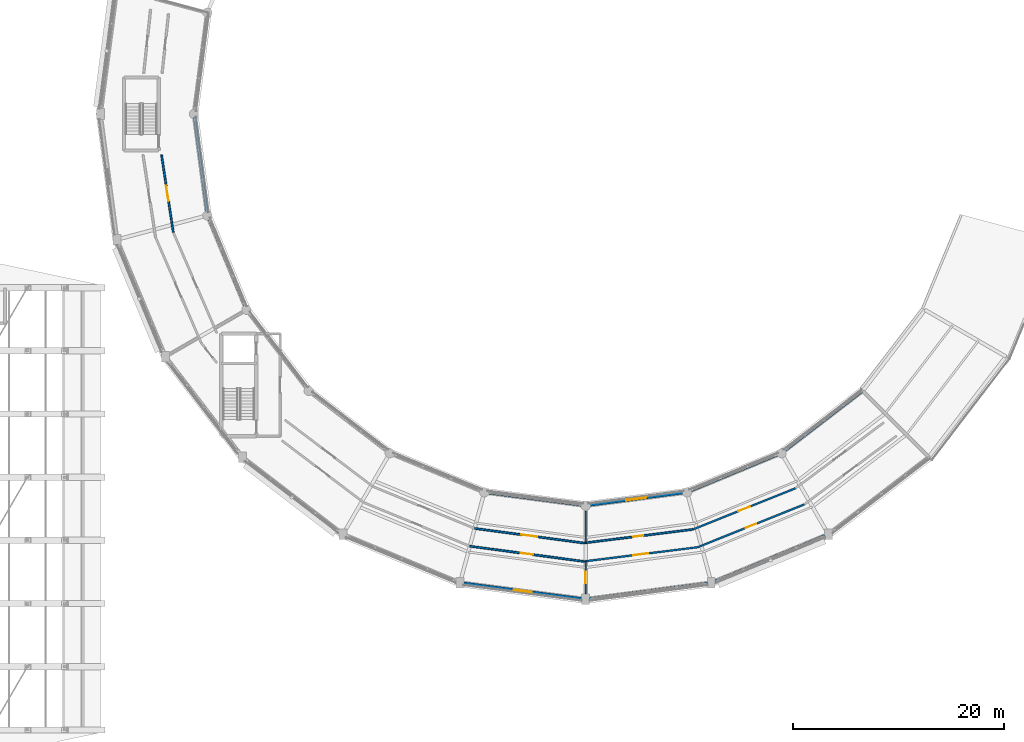
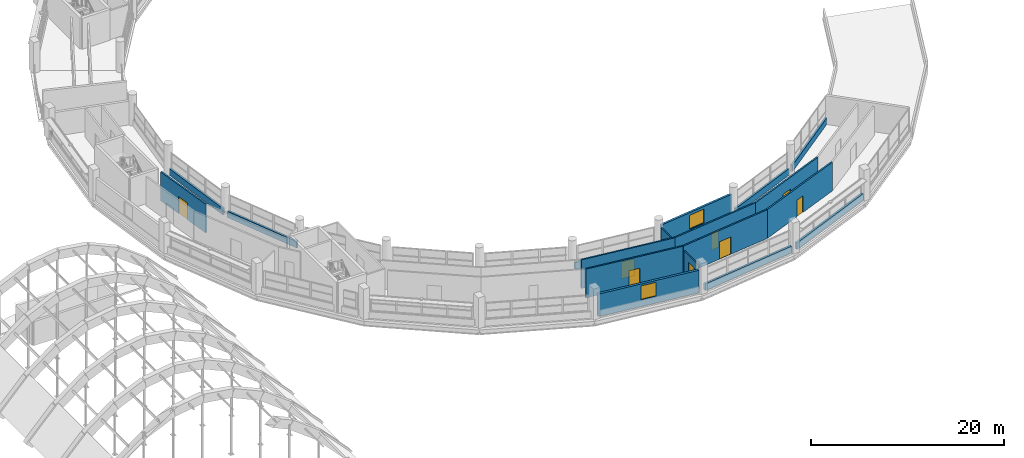
# One storey, part 75 of 88: 18 walls, 8 doors, 2 windows, 10 openings.
"""IFC4 building model written with IfcOpenShell, lengths in metres."""

from ifc_helpers import new_model, si_unit, direction, frame, frame_2d, origin, place, context, subcontext, project, spatial, rectangle, extrude, material, layer, layer_set, type_object, element, fill, save


model = new_model("IFC4")

# Units and contexts
model_context = context("Model", 3, precision=1e-05, world=origin(), true_north=direction((0.0, 1.0)))
body_context = subcontext(model_context, "Body", "Model", "MODEL_VIEW")
ifc_project = project(units=[si_unit("LENGTHUNIT", "METRE"), si_unit("AREAUNIT", "SQUARE_METRE"), si_unit("VOLUMEUNIT", "CUBIC_METRE"), si_unit("PLANEANGLEUNIT", "RADIAN"), si_unit("MASSUNIT", "GRAM", prefix="KILO")], contexts=[model_context])

# Site, building, storey
site_placement = place(None, origin())
site = spatial("IfcSite", under=ifc_project, at=site_placement, CompositionType="ELEMENT")
building_placement = place(site_placement, origin())
building = spatial("IfcBuilding", under=site, at=building_placement, Name="Vespera Passage Community Centre", CompositionType="ELEMENT")
storey_placement = place(building_placement, frame((0.0, 0.0, 16.5)))
storey = spatial("IfcBuildingStorey", under=building, at=storey_placement, Name="L04", CompositionType="ELEMENT", Elevation=16.5)

# Wall, opening, door
ifc_material_1 = material(Name="Gypsum board acoustic stud partition")
ifc_layer_1 = layer(ifc_material_1, 0.179931640625)
ifc_layer_set_1 = layer_set([ifc_layer_1], Name="Gypsum board acoustic stud partition")
wall_type_1 = type_object("IfcWallType", Name="WT-CORR-180I", PredefinedType="PARTITIONING", material=ifc_layer_set_1)
wall_1_placement = place(storey_placement, frame((37.712646484375, 61.625, 0.0), z_axis=(0.0, 0.0, 1.0), x_axis=(0.149968655248, -0.988690751673, 0.0)))
wall_1 = element("IfcWall", 1, at=wall_1_placement, inside=storey, type_object=wall_type_1, Name="L04 Interior Partition V4-L04-CI09.1", PredefinedType="PARTITIONING", context=body_context, shape_type="SweptSolid", body=[
    extrude(rectangle(XDim=7.44140625, YDim=0.179931640625, at=frame_2d((3.720703125, 0.0))), origin(), (0.0, 0.0, 1.0), 3.635009765625),
])
opening_1_placement = place(wall_1_placement, frame((2.970703125, 0.0, 0.0)))
opening_1 = element("IfcOpeningElement", 2, at=opening_1_placement, cuts=wall_1, Name="Opening DT-CORR-150", PredefinedType="OPENING", context=body_context, shape_type="SweptSolid", body=[
    extrude(rectangle(XDim=1.5, YDim=2.14990234375, at=frame_2d((0.75, 1.074951171875))), frame((0.0, 0.099853515625, 0.0), z_axis=(0.0, -1.0, 0.0), x_axis=(1.0, 0.0, 0.0)), (0.0, 0.0, 1.0), 0.199951171875),
])
ifc_material_2 = material(Name="Painted hollow-metal acoustic door", Category="steel")
door_type_1 = type_object("IfcDoorType", Name="DT-CORR-150", OperationType="NOTDEFINED", PredefinedType="DOOR", material=ifc_material_2)
door_1_placement = place(opening_1_placement, origin())
door_1 = element("IfcDoor", 3, at=door_1_placement, inside=storey, type_object=door_type_1, Name="L04 Interior Door D-280", OperationType="SINGLE_SWING_RIGHT", OverallHeight=2.14990234375, OverallWidth=1.5, PredefinedType="DOOR", context=body_context, shape_type="SweptSolid", body=[
    extrude(rectangle(XDim=1.5, YDim=2.14990234375, at=frame_2d((0.75, 1.074951171875))), frame((0.0, 0.02490234375, 0.0), z_axis=(0.0, -1.0, 0.0), x_axis=(1.0, 0.0, 0.0)), (0.0, 0.0, 1.0), 0.050048828125),
])
fill(opening_1, door_1)

wall_2_placement = place(storey_placement, frame((67.000244140625, 24.4482421875, 0.0), z_axis=(0.0, 0.0, 1.0), x_axis=(0.991157800834, -0.132688408862, 0.0)))
wall_2 = element("IfcWall", 4, at=wall_2_placement, inside=storey, type_object=wall_type_1, Name="L04 Interior Partition V4-L04-CO14.1", PredefinedType="PARTITIONING", context=body_context, shape_type="SweptSolid", body=[
    extrude(rectangle(XDim=10.910888671875, YDim=0.179931640625, at=frame_2d((5.45556640625, 0.0))), origin(), (0.0, 0.0, 1.0), 3.635009765625),
])
opening_2_placement = place(wall_2_placement, frame((4.85546875, 0.0, 0.0)))
opening_2 = element("IfcOpeningElement", 5, at=opening_2_placement, cuts=wall_2, Name="Opening DT-CORR-120", PredefinedType="OPENING", context=body_context, shape_type="SweptSolid", body=[
    extrude(rectangle(XDim=1.199951171875, YDim=2.14990234375, at=frame_2d((0.60009765625, 1.074951171875))), frame((0.0, 0.099853515625, 0.0), z_axis=(0.0, -1.0, 0.0), x_axis=(1.0, 0.0, 0.0)), (0.0, 0.0, 1.0), 0.199951171875),
])
ifc_material_3 = material(Name="Painted hollow-metal acoustic door", Category="steel")
door_type_2 = type_object("IfcDoorType", Name="DT-CORR-120", OperationType="NOTDEFINED", PredefinedType="DOOR", material=ifc_material_3)
door_2_placement = place(opening_2_placement, origin())
door_2 = element("IfcDoor", 6, at=door_2_placement, inside=storey, type_object=door_type_2, Name="L04 Interior Door D-288", OperationType="SINGLE_SWING_RIGHT", OverallHeight=2.14990234375, OverallWidth=1.199951171875, PredefinedType="DOOR", context=body_context, shape_type="SweptSolid", body=[
    extrude(rectangle(XDim=1.199951171875, YDim=2.14990234375, at=frame_2d((0.60009765625, 1.074951171875))), frame((0.0, 0.02490234375, 0.0), z_axis=(0.0, -1.0, 0.0), x_axis=(1.0, 0.0, 0.0)), (0.0, 0.0, 1.0), 0.050048828125),
])
fill(opening_2, door_2)

wall_3_placement = place(storey_placement, frame((67.453125, 26.138427734375, 0.0), z_axis=(0.0, 0.0, 1.0), x_axis=(0.99116030885, -0.132669673098, 0.0)))
wall_3 = element("IfcWall", 7, at=wall_3_placement, inside=storey, type_object=wall_type_1, Name="L04 Interior Partition V4-L04-CI14.1", PredefinedType="PARTITIONING", context=body_context, shape_type="SweptSolid", body=[
    extrude(rectangle(XDim=10.461669921875, YDim=0.179931640625, at=frame_2d((5.23095703125, 0.0))), origin(), (0.0, 0.0, 1.0), 3.635009765625),
])
opening_3_placement = place(wall_3_placement, frame((4.480712890625, 0.0, 0.0)))
opening_3 = element("IfcOpeningElement", 8, at=opening_3_placement, cuts=wall_3, Name="Opening DT-CORR-150", PredefinedType="OPENING", context=body_context, shape_type="SweptSolid", body=[
    extrude(rectangle(XDim=1.5, YDim=2.14990234375, at=frame_2d((0.75, 1.074951171875))), frame((0.0, 0.099853515625, 0.0), z_axis=(0.0, -1.0, 0.0), x_axis=(1.0, 0.0, 0.0)), (0.0, 0.0, 1.0), 0.199951171875),
])
door_3_placement = place(opening_3_placement, origin())
door_3 = element("IfcDoor", 9, at=door_3_placement, inside=storey, type_object=door_type_1, Name="L04 Interior Door D-289", OperationType="SINGLE_SWING_LEFT", OverallHeight=2.14990234375, OverallWidth=1.5, PredefinedType="DOOR", context=body_context, shape_type="SweptSolid", body=[
    extrude(rectangle(XDim=1.5, YDim=2.14990234375, at=frame_2d((0.75, 1.074951171875))), frame((0.0, 0.02490234375, 0.0), z_axis=(0.0, -1.0, 0.0), x_axis=(1.0, 0.0, 0.0)), (0.0, 0.0, 1.0), 0.050048828125),
])
fill(opening_3, door_3)

wall_4_placement = place(storey_placement, frame((77.814697265625, 23.00048828125, 0.0), z_axis=(0.0, 0.0, 1.0), x_axis=(0.992278220961, 0.124031980579, 0.0)))
wall_4 = element("IfcWall", 10, at=wall_4_placement, inside=storey, type_object=wall_type_1, Name="L04 Interior Partition V4-L04-CO15.1", PredefinedType="PARTITIONING", context=body_context, shape_type="SweptSolid", body=[
    extrude(rectangle(XDim=10.91064453125, YDim=0.179931640625, at=frame_2d((5.455322265625, 0.0))), origin(), (0.0, 0.0, 1.0), 3.635009765625),
])
opening_4_placement = place(wall_4_placement, frame((4.73046875, 0.0, 0.0)))
opening_4 = element("IfcOpeningElement", 11, at=opening_4_placement, cuts=wall_4, Name="Opening DT-PLANT-145", PredefinedType="OPENING", context=body_context, shape_type="SweptSolid", body=[
    extrude(rectangle(XDim=1.449951171875, YDim=2.199951171875, at=frame_2d((0.72509765625, 1.10009765625))), frame((0.0, 0.099853515625, 0.0), z_axis=(0.0, -1.0, 0.0), x_axis=(1.0, 0.0, 0.0)), (0.0, 0.0, 1.0), 0.199951171875),
])
ifc_material_4 = material(Name="Painted hollow-metal acoustic door", Category="steel")
door_type_3 = type_object("IfcDoorType", Name="DT-PLANT-145", OperationType="NOTDEFINED", PredefinedType="DOOR", material=ifc_material_4)
door_4_placement = place(opening_4_placement, origin())
door_4 = element("IfcDoor", 12, at=door_4_placement, inside=storey, type_object=door_type_3, Name="L04 Interior Door D-290", OperationType="SINGLE_SWING_RIGHT", OverallHeight=2.199951171875, OverallWidth=1.449951171875, PredefinedType="DOOR", context=body_context, shape_type="SweptSolid", body=[
    extrude(rectangle(XDim=1.449951171875, YDim=2.199951171875, at=frame_2d((0.72509765625, 1.10009765625))), frame((0.0, 0.02490234375, 0.0), z_axis=(0.0, -1.0, 0.0), x_axis=(1.0, 0.0, 0.0)), (0.0, 0.0, 1.0), 0.050048828125),
])
fill(opening_4, door_4)

wall_5_placement = place(storey_placement, frame((77.822265625, 24.75048828125, 0.0), z_axis=(0.0, 0.0, 1.0), x_axis=(0.992277517675, 0.124037606868, 0.0)))
wall_5 = element("IfcWall", 13, at=wall_5_placement, inside=storey, type_object=wall_type_1, Name="L04 Interior Partition V4-L04-CI15.1", PredefinedType="PARTITIONING", context=body_context, shape_type="SweptSolid", body=[
    extrude(rectangle(XDim=10.46142578125, YDim=0.179931640625, at=frame_2d((5.230712890625, 0.0))), origin(), (0.0, 0.0, 1.0), 3.635009765625),
])
opening_5_placement = place(wall_5_placement, frame((4.755859375, 0.0, 0.0)))
opening_5 = element("IfcOpeningElement", 14, at=opening_5_placement, cuts=wall_5, Name="Opening DT-CORR-95", PredefinedType="OPENING", context=body_context, shape_type="SweptSolid", body=[
    extrude(rectangle(XDim=0.949951171875, YDim=2.10009765625, at=frame_2d((0.47509765625, 1.050048828125))), frame((0.0, 0.099853515625, 0.0), z_axis=(0.0, -1.0, 0.0), x_axis=(1.0, 0.0, 0.0)), (0.0, 0.0, 1.0), 0.199951171875),
])
ifc_material_5 = material(Name="Painted hollow-metal acoustic door", Category="steel")
door_type_4 = type_object("IfcDoorType", Name="DT-CORR-95", OperationType="NOTDEFINED", PredefinedType="DOOR", material=ifc_material_5)
door_5_placement = place(opening_5_placement, origin())
door_5 = element("IfcDoor", 15, at=door_5_placement, inside=storey, type_object=door_type_4, Name="L04 Interior Door D-291", OperationType="SINGLE_SWING_LEFT", OverallHeight=2.10009765625, OverallWidth=0.949951171875, PredefinedType="DOOR", context=body_context, shape_type="SweptSolid", body=[
    extrude(rectangle(XDim=0.949951171875, YDim=2.10009765625, at=frame_2d((0.47509765625, 1.050048828125))), frame((0.0, 0.02490234375, 0.0), z_axis=(0.0, -1.0, 0.0), x_axis=(1.0, 0.0, 0.0)), (0.0, 0.0, 1.0), 0.050048828125),
])
fill(opening_5, door_5)

wall_6_placement = place(storey_placement, frame((88.64111328125, 24.353759765625, 0.0), z_axis=(0.0, 0.0, 1.0), x_axis=(0.927999085714, 0.37258246995, 0.0)))
wall_6 = element("IfcWall", 16, at=wall_6_placement, inside=storey, type_object=wall_type_1, Name="L04 Interior Partition V4-L04-CO16.1", PredefinedType="PARTITIONING", context=body_context, shape_type="SweptSolid", body=[
    extrude(rectangle(XDim=10.910888671875, YDim=0.179931640625, at=frame_2d((5.45556640625, 0.0))), origin(), (0.0, 0.0, 1.0), 3.635009765625),
])
opening_6_placement = place(wall_6_placement, frame((4.930419921875, 0.0, 0.0)))
opening_6 = element("IfcOpeningElement", 17, at=opening_6_placement, cuts=wall_6, Name="Opening DT-CORR-105", PredefinedType="OPENING", context=body_context, shape_type="SweptSolid", body=[
    extrude(rectangle(XDim=1.050048828125, YDim=2.10009765625, at=frame_2d((0.52490234375, 1.050048828125))), frame((0.0, 0.099853515625, 0.0), z_axis=(0.0, -1.0, 0.0), x_axis=(1.0, 0.0, 0.0)), (0.0, 0.0, 1.0), 0.199951171875),
])
ifc_material_6 = material(Name="Painted hollow-metal acoustic door", Category="steel")
door_type_5 = type_object("IfcDoorType", Name="DT-CORR-105", OperationType="NOTDEFINED", PredefinedType="DOOR", material=ifc_material_6)
door_6_placement = place(opening_6_placement, origin())
door_6 = element("IfcDoor", 18, at=door_6_placement, inside=storey, type_object=door_type_5, Name="L04 Interior Door D-292", OperationType="SINGLE_SWING_RIGHT", OverallHeight=2.10009765625, OverallWidth=1.050048828125, PredefinedType="DOOR", context=body_context, shape_type="SweptSolid", body=[
    extrude(rectangle(XDim=1.050048828125, YDim=2.10009765625, at=frame_2d((0.52490234375, 1.050048828125))), frame((0.0, 0.02490234375, 0.0), z_axis=(0.0, -1.0, 0.0), x_axis=(1.0, 0.0, 0.0)), (0.0, 0.0, 1.0), 0.050048828125),
])
fill(opening_6, door_6)

wall_7_placement = place(storey_placement, frame((88.202880859375, 26.048095703125, 0.0), z_axis=(0.0, 0.0, 1.0), x_axis=(0.928004381605, 0.372569279091, 0.0)))
wall_7 = element("IfcWall", 19, at=wall_7_placement, inside=storey, type_object=wall_type_1, Name="L04 Interior Partition V4-L04-CI16.1", PredefinedType="PARTITIONING", context=body_context, shape_type="SweptSolid", body=[
    extrude(rectangle(XDim=10.461669921875, YDim=0.179931640625, at=frame_2d((5.23095703125, 0.0))), origin(), (0.0, 0.0, 1.0), 3.635009765625),
])
opening_7_placement = place(wall_7_placement, frame((4.630859375, 0.0, 0.0)))
opening_7 = element("IfcOpeningElement", 20, at=opening_7_placement, cuts=wall_7, Name="Opening DT-CORR-120", PredefinedType="OPENING", context=body_context, shape_type="SweptSolid", body=[
    extrude(rectangle(XDim=1.199951171875, YDim=2.14990234375, at=frame_2d((0.60009765625, 1.074951171875))), frame((0.0, 0.099853515625, 0.0), z_axis=(0.0, -1.0, 0.0), x_axis=(1.0, 0.0, 0.0)), (0.0, 0.0, 1.0), 0.199951171875),
])
door_7_placement = place(opening_7_placement, origin())
door_7 = element("IfcDoor", 21, at=door_7_placement, inside=storey, type_object=door_type_2, Name="L04 Interior Door D-293", OperationType="SINGLE_SWING_LEFT", OverallHeight=2.14990234375, OverallWidth=1.199951171875, PredefinedType="DOOR", context=body_context, shape_type="SweptSolid", body=[
    extrude(rectangle(XDim=1.199951171875, YDim=2.14990234375, at=frame_2d((0.60009765625, 1.074951171875))), frame((0.0, 0.02490234375, 0.0), z_axis=(0.0, -1.0, 0.0), x_axis=(1.0, 0.0, 0.0)), (0.0, 0.0, 1.0), 0.050048828125),
])
fill(opening_7, door_7)

# Walls
ifc_material_7 = material(Name="Precast concrete f'c 40 MPa", Category="concrete")
ifc_layer_2 = layer(ifc_material_7, 0.25)
ifc_layer_set_2 = layer_set([ifc_layer_2], Name="Precast concrete f'c 40 MPa")
wall_type_2 = type_object("IfcWallType", Name="WT-EXT-250E", PredefinedType="STANDARD", material=ifc_layer_set_2)
wall_8_placement = place(storey_placement, frame((40.836181640625, 65.224853515625, 0.0), z_axis=(0.0, 0.0, 1.0), x_axis=(0.130549698469, -0.991441766434, 0.0)))
element("IfcWall", 22, at=wall_8_placement, inside=storey, type_object=wall_type_2, Name="V4 L04 Court Spandrel Wall I12", PredefinedType="STANDARD", context=body_context, shape_type="SweptSolid", body=[
    extrude(rectangle(XDim=9.156005859375, YDim=0.25, at=frame_2d((4.578125, 0.0))), origin(), (0.0, 0.0, 1.0), 0.820068359375),
])
wall_9_placement = place(storey_placement, frame((42.182373046875, 55.594970703125, 0.0), z_axis=(0.0, 0.0, 1.0), x_axis=(0.382681519675, -0.923880324771, 0.0)))
element("IfcWall", 23, at=wall_9_placement, inside=storey, type_object=wall_type_2, Name="V4 L04 Court Spandrel Wall I13", PredefinedType="STANDARD", context=body_context, shape_type="SweptSolid", body=[
    extrude(rectangle(XDim=9.111572265625, YDim=0.25, at=frame_2d((4.5556640625, 0.0))), origin(), (0.0, 0.0, 1.0), 0.820068359375),
])
wall_10_placement = place(storey_placement, frame((68.647216796875, 29.531494140625, 0.0), z_axis=(0.0, 0.0, 1.0), x_axis=(0.991441766434, -0.130549698469, 0.0)))
element("IfcWall", 24, at=wall_10_placement, inside=storey, type_object=wall_type_2, Name="V4 L04 Court Spandrel Wall I17", PredefinedType="STANDARD", context=body_context, shape_type="SweptSolid", body=[
    extrude(rectangle(XDim=9.156005859375, YDim=0.25, at=frame_2d((4.578125, 0.0))), origin(), (0.0, 0.0, 1.0), 0.820068359375),
])

# Wall, opening, window
wall_11_placement = place(storey_placement, frame((78.275146484375, 28.336181640625, 0.0), z_axis=(0.0, 0.0, 1.0), x_axis=(0.991441766434, 0.130549698469, 0.0)))
wall_11 = element("IfcWall", 25, at=wall_11_placement, inside=storey, type_object=wall_type_2, Name="V4 L04 Inner Court Precast Wall 18", PredefinedType="STANDARD", context=body_context, shape_type="SweptSolid", body=[
    extrude(rectangle(XDim=9.156005859375, YDim=0.25, at=frame_2d((4.578125, 0.0))), origin(), (0.0, 0.0, 1.0), 2.929443359375),
])
opening_8_placement = place(wall_11_placement, frame((3.6279296875, 0.0, 0.85009765625)))
opening_8 = element("IfcOpeningElement", 26, at=opening_8_placement, cuts=wall_11, Name="Opening WN-21E", PredefinedType="OPENING", context=body_context, shape_type="SweptSolid", body=[
    extrude(rectangle(XDim=1.89990234375, YDim=1.75, at=frame_2d((0.949951171875, 0.875))), frame((0.0, 0.135009765625, 0.0), z_axis=(0.0, -1.0, 0.0), x_axis=(1.0, 0.0, 0.0)), (0.0, 0.0, 1.0), 0.27001953125),
])
ifc_material_8 = material(Name="Low-E insulated vision glass", Category="glass")
window_type_1 = type_object("IfcWindowType", Name="WN-21E", PartitioningType="SINGLE_PANEL", PredefinedType="WINDOW", material=ifc_material_8)
window_1_placement = place(opening_8_placement, origin())
window_1 = element("IfcWindow", 27, at=window_1_placement, inside=storey, type_object=window_type_1, Name="Window WN-V4-L04-I18", OverallHeight=1.75, OverallWidth=1.89990234375, PartitioningType="SINGLE_PANEL", PredefinedType="WINDOW", context=body_context, shape_type="SweptSolid", body=[
    extrude(rectangle(XDim=1.89990234375, YDim=1.75, at=frame_2d((0.949951171875, 0.875))), frame((0.0, 0.030029296875, 0.0), z_axis=(0.0, -1.0, 0.0), x_axis=(1.0, 0.0, 0.0)), (0.0, 0.0, 1.0), 0.06005859375),
])
fill(opening_8, window_1)

# Walls
wall_12_placement = place(storey_placement, frame((87.905029296875, 29.682373046875, 0.0), z_axis=(0.0, 0.0, 1.0), x_axis=(0.923880324771, 0.382681519675, 0.0)))
element("IfcWall", 28, at=wall_12_placement, inside=storey, type_object=wall_type_2, Name="V4 L04 Court Spandrel Wall I19", PredefinedType="STANDARD", context=body_context, shape_type="SweptSolid", body=[
    extrude(rectangle(XDim=9.111572265625, YDim=0.25, at=frame_2d((4.5556640625, 0.0))), origin(), (0.0, 0.0, 1.0), 0.820068359375),
])
wall_13_placement = place(storey_placement, frame((96.880126953125, 33.498779296875, 0.0), z_axis=(0.0, 0.0, 1.0), x_axis=(0.793358552894, 0.608754635752, 0.0)))
element("IfcWall", 29, at=wall_13_placement, inside=storey, type_object=wall_type_2, Name="V4 L04 Court Spandrel Wall I20", PredefinedType="STANDARD", context=body_context, shape_type="SweptSolid", body=[
    extrude(rectangle(XDim=9.358154296875, YDim=0.25, at=frame_2d((4.67919921875, 0.0))), origin(), (0.0, 0.0, 1.0), 0.820068359375),
])

# Wall, opening, window
ifc_material_9 = material(Name="Precast concrete f'c 40 MPa", Category="concrete")
ifc_layer_3 = layer(ifc_material_9, 0.280029296875)
ifc_layer_set_3 = layer_set([ifc_layer_3], Name="Precast concrete f'c 40 MPa")
wall_type_3 = type_object("IfcWallType", Name="WT-EXT-280E", PredefinedType="STANDARD", material=ifc_layer_set_3)
wall_14_placement = place(storey_placement, frame((77.64990234375, 19.446044921875, 0.0), z_axis=(0.0, 0.0, 1.0), x_axis=(-0.991443215359, 0.130538694334, 0.0)))
wall_14 = element("IfcWall", 30, at=wall_14_placement, inside=storey, type_object=wall_type_3, Name="V4 L04 Outer Precast Wall 17", PredefinedType="STANDARD", context=body_context, shape_type="SweptSolid", body=[
    extrude(rectangle(XDim=11.328125, YDim=0.280029296875, at=frame_2d((5.6640625, 0.0))), origin(), (0.0, 0.0, 1.0), 2.845703125),
])
opening_9_placement = place(wall_14_placement, frame((4.81396484375, 0.0, 0.85009765625)))
opening_9 = element("IfcOpeningElement", 31, at=opening_9_placement, cuts=wall_14, Name="Opening WN-20E", PredefinedType="OPENING", context=body_context, shape_type="SweptSolid", body=[
    extrude(rectangle(XDim=1.699951171875, YDim=1.75, at=frame_2d((0.85009765625, 0.875))), frame((0.0, 0.150146484375, 0.0), z_axis=(0.0, -1.0, 0.0), x_axis=(1.0, 0.0, 0.0)), (0.0, 0.0, 1.0), 0.300048828125),
])
ifc_material_10 = material(Name="Low-E insulated vision glass", Category="glass")
window_type_2 = type_object("IfcWindowType", Name="WN-20E", PartitioningType="SINGLE_PANEL", PredefinedType="WINDOW", material=ifc_material_10)
window_2_placement = place(opening_9_placement, origin())
window_2 = element("IfcWindow", 32, at=window_2_placement, inside=storey, type_object=window_type_2, Name="Window WN-V4-L04-O17", OverallHeight=1.75, OverallWidth=1.699951171875, PartitioningType="SINGLE_PANEL", PredefinedType="WINDOW", context=body_context, shape_type="SweptSolid", body=[
    extrude(rectangle(XDim=1.699951171875, YDim=1.75, at=frame_2d((0.85009765625, 0.875))), frame((0.0, 0.030029296875, 0.0), z_axis=(0.0, -1.0, 0.0), x_axis=(1.0, 0.0, 0.0)), (0.0, 0.0, 1.0), 0.06005859375),
])
fill(opening_9, window_2)

# Walls
wall_15_placement = place(storey_placement, frame((89.581298828125, 20.9248046875, 0.0), z_axis=(0.0, 0.0, 1.0), x_axis=(-0.991443215359, -0.130538694334, 0.0)))
element("IfcWall", 33, at=wall_15_placement, inside=storey, type_object=wall_type_3, Name="V4 L04 Spandrel Wall O18", PredefinedType="STANDARD", context=body_context, shape_type="SweptSolid", body=[
    extrude(rectangle(XDim=11.328125, YDim=0.280029296875, at=frame_2d((5.6640625, 0.0))), origin(), (0.0, 0.0, 1.0), 0.820068359375),
])
wall_16_placement = place(storey_placement, frame((100.697998046875, 25.430419921875, 0.0), z_axis=(0.0, 0.0, 1.0), x_axis=(-0.923883530636, -0.382673779896, 0.0)))
element("IfcWall", 34, at=wall_16_placement, inside=storey, type_object=wall_type_3, Name="V4 L04 Spandrel Wall O19", PredefinedType="STANDARD", context=body_context, shape_type="SweptSolid", body=[
    extrude(rectangle(XDim=11.2724609375, YDim=0.280029296875, at=frame_2d((5.63623046875, 0.0))), origin(), (0.0, 0.0, 1.0), 0.820068359375),
])

# Wall, opening, door
ifc_material_11 = material(Name="Moisture-resistant gypsum stud partition")
ifc_layer_4 = layer(ifc_material_11, 0.1201171875)
ifc_layer_set_4 = layer_set([ifc_layer_4], Name="Moisture-resistant gypsum stud partition")
wall_type_4 = type_object("IfcWallType", Name="WT-WET-120I", PredefinedType="PARTITIONING", material=ifc_layer_set_4)
wall_17_placement = place(storey_placement, frame((78.0, 23.0, 0.0), z_axis=(0.0, 0.0, 1.0), x_axis=(0.0, -1.0, 0.0)))
wall_17 = element("IfcWall", 35, at=wall_17_placement, inside=storey, type_object=wall_type_4, Name="L04 Interior Partition V4-L04-RO17-2.1", PredefinedType="PARTITIONING", context=body_context, shape_type="SweptSolid", body=[
    extrude(rectangle(XDim=3.050048828125, YDim=0.1201171875, at=frame_2d((1.52490234375, 0.0))), origin(), (0.0, 0.0, 1.0), 2.99658203125),
])
opening_10_placement = place(wall_17_placement, frame((0.965087890625, 0.0, 0.0)))
opening_10 = element("IfcOpeningElement", 36, at=opening_10_placement, cuts=wall_17, Name="Opening DT-INT-112", PredefinedType="OPENING", context=body_context, shape_type="SweptSolid", body=[
    extrude(rectangle(XDim=1.1201171875, YDim=2.10009765625, at=frame_2d((0.56005859375, 1.050048828125))), frame((0.0, 0.070068359375, 0.0), z_axis=(0.0, -1.0, 0.0), x_axis=(1.0, 0.0, 0.0)), (0.0, 0.0, 1.0), 0.14013671875),
])
ifc_material_12 = material(Name="Solid-core maple veneer door", Category="wood")
door_type_6 = type_object("IfcDoorType", Name="DT-INT-112", OperationType="NOTDEFINED", PredefinedType="DOOR", material=ifc_material_12)
door_8_placement = place(opening_10_placement, origin())
door_8 = element("IfcDoor", 37, at=door_8_placement, inside=storey, type_object=door_type_6, Name="L04 Interior Door D-296", OperationType="SINGLE_SWING_RIGHT", OverallHeight=2.10009765625, OverallWidth=1.1201171875, PredefinedType="DOOR", context=body_context, shape_type="SweptSolid", body=[
    extrude(rectangle(XDim=1.1201171875, YDim=2.10009765625, at=frame_2d((0.56005859375, 1.050048828125))), frame((0.0, 0.02490234375, 0.0), z_axis=(0.0, -1.0, 0.0), x_axis=(1.0, 0.0, 0.0)), (0.0, 0.0, 1.0), 0.050048828125),
])
fill(opening_10, door_8)

# Wall
wall_18_placement = place(storey_placement, frame((78.0, 27.75, 0.0), z_axis=(0.0, 0.0, 1.0), x_axis=(0.0, -1.0, 0.0)))
element("IfcWall", 38, at=wall_18_placement, inside=storey, type_object=wall_type_4, Name="L04 Interior Partition V4-L04-RI17-2.1", PredefinedType="PARTITIONING", context=body_context, shape_type="SweptSolid", body=[
    extrude(rectangle(XDim=3.0, YDim=0.1201171875, at=frame_2d((1.5, 0.0))), origin(), (0.0, 0.0, 1.0), 2.99658203125),
])

save(model, "model.ifc")
